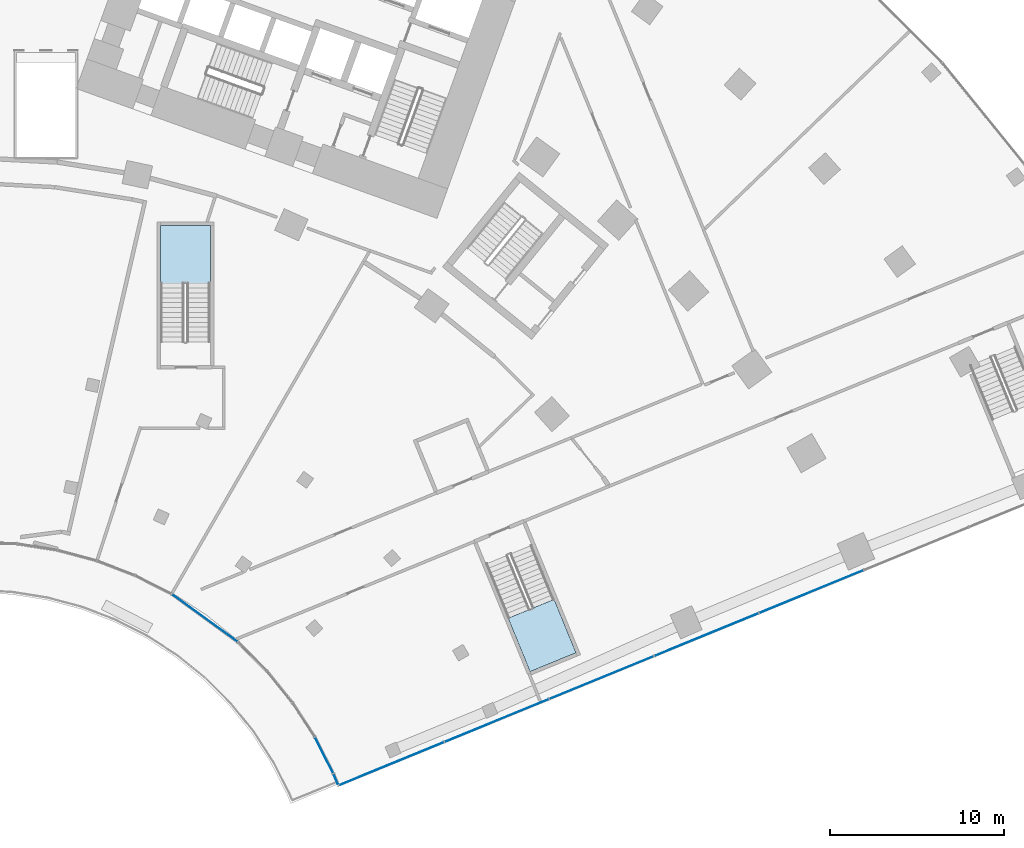
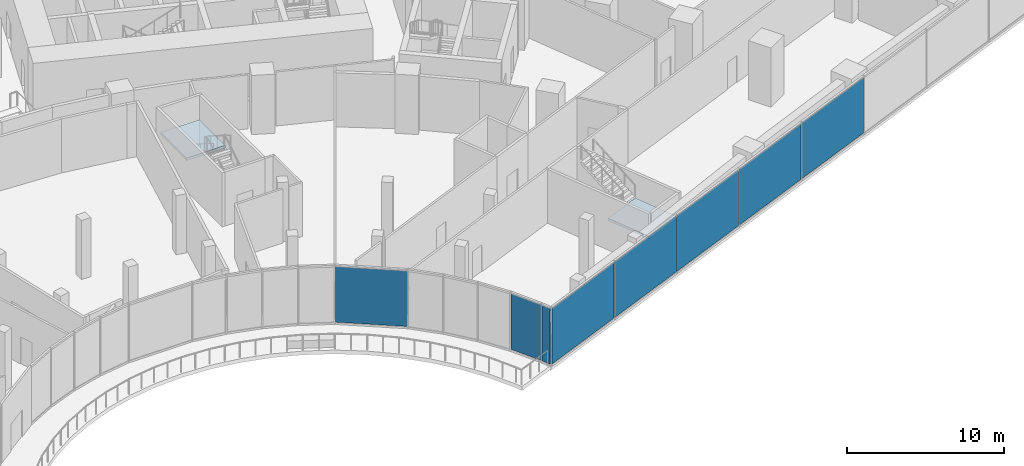
# One storey, part 19 of 40: 8 plates, 2 slabs, 4 elements without a shape of their own.
"""IFC4 building model written with IfcOpenShell, lengths in metres."""

from ifc_helpers import new_model, si_unit, direction, frame, origin, origin_2d, place, context, subcontext, project, spatial, polyline, rectangle, outline, extrude, material, layer, layer_set, type_object, element, aggregate, save


model = new_model("IFC4")

# Units and contexts
model_context = context("Model", 3, precision=1e-05, world=origin(), true_north=direction((0.0, 1.0)))
body_context = subcontext(model_context, "Body", "Model", "MODEL_VIEW")
ifc_project = project(units=[si_unit("LENGTHUNIT", "METRE"), si_unit("AREAUNIT", "SQUARE_METRE"), si_unit("VOLUMEUNIT", "CUBIC_METRE"), si_unit("PLANEANGLEUNIT", "RADIAN"), si_unit("MASSUNIT", "GRAM", prefix="KILO")], contexts=[model_context])

# Site, building, storey
site_placement = place(None, origin())
site = spatial("IfcSite", under=ifc_project, at=site_placement, CompositionType="ELEMENT")
building_placement = place(site_placement, origin())
building = spatial("IfcBuilding", under=site, at=building_placement, Name="Stone Belt Terrace Tower", CompositionType="ELEMENT")
storey_placement = place(building_placement, frame((0.0, 0.0, 11.60009765625)))
storey = spatial("IfcBuildingStorey", under=building, at=storey_placement, Name="L02", CompositionType="ELEMENT", Elevation=11.60009765625)

# Curtain wall, plates
ifc_material_1 = material(Name="Aluminium 6063-T6 anodised frame", Category="aluminium")
ifc_layer_1 = layer(ifc_material_1, 0.14990234375)
ifc_layer_set_1 = layer_set([ifc_layer_1], Name="CW-D podium shopfront")
curtain_wall_type = type_object("IfcCurtainWallType", Name="CW-D podium shopfront", PredefinedType="NOTDEFINED", material=ifc_layer_set_1)
curtain_wall_1_placement = place(storey_placement, origin())
curtain_wall_1 = element("IfcCurtainWall", 1, at=curtain_wall_1_placement, inside=storey, type_object=curtain_wall_type, Name="CW-D concave face L02", PredefinedType="NOTDEFINED")
ifc_material_2 = material(Name="Clear double glazed unit")
ifc_layer_2 = layer(ifc_material_2, 0.031982421875)
ifc_layer_set_2 = layer_set([ifc_layer_2], Name="CW-D glass panel 32")
plate_type = type_object("IfcPlateType", Name="CW-D glass panel 32", PredefinedType="CURTAIN_PANEL", material=ifc_layer_set_2)
plate_1_placement = place(storey_placement, frame((13.108642578125, 18.04248046875, 0.1396484375), z_axis=(0.0, 0.0, 1.0), x_axis=(0.809016994375, -0.587785252292, 0.0)))
plate_1 = element("IfcPlate", 2, at=plate_1_placement, type_object=plate_type, Name="CW-D panel 16.1", PredefinedType="CURTAIN_PANEL", context=body_context, shape_type="SweptSolid", body=[
    extrude(rectangle(XDim=4.620361328125, YDim=0.031982421875, at=origin_2d()), origin(), (0.0, 0.0, 1.0), 4.320068359375),
])
plate_2_placement = place(storey_placement, frame((19.953857421875, 10.16552734375, 0.1396484375), z_axis=(0.0, 0.0, 1.0), x_axis=(0.45399049974, -0.891006524188, 0.0)))
plate_2 = element("IfcPlate", 3, at=plate_2_placement, type_object=plate_type, Name="CW-D panel 20.1", PredefinedType="CURTAIN_PANEL", context=body_context, shape_type="SweptSolid", body=[
    extrude(rectangle(XDim=2.2822265625, YDim=0.031982421875, at=origin_2d()), origin(), (0.0, 0.0, 1.0), 4.320068359375),
])
plate_3_placement = place(storey_placement, frame((20.624755859375, 8.796630859375, 0.1396484375), z_axis=(0.0, 0.0, 1.0), x_axis=(0.393033792222, -0.919524028056, 0.0)))
plate_3 = element("IfcPlate", 4, at=plate_3_placement, type_object=plate_type, Name="CW-D panel 21.1", PredefinedType="CURTAIN_PANEL", context=body_context, shape_type="SweptSolid", body=[
    extrude(rectangle(XDim=0.6376953125, YDim=0.031982421875, at=origin_2d()), origin(), (0.0, 0.0, 1.0), 4.320068359375),
])
aggregate(curtain_wall_1, [plate_1, plate_2, plate_3])

curtain_wall_2_placement = place(storey_placement, origin())
curtain_wall_2 = element("IfcCurtainWall", 5, at=curtain_wall_2_placement, inside=storey, type_object=curtain_wall_type, Name="CW-D end face L02", PredefinedType="NOTDEFINED")
plate_4_placement = place(storey_placement, frame((23.841064453125, 9.6904296875, 0.1396484375), z_axis=(0.0, 0.0, 1.0), x_axis=(0.925297074342, 0.379243093825, 0.0)))
plate_4 = element("IfcPlate", 6, at=plate_4_placement, type_object=plate_type, Name="CW-D panel 1.1", PredefinedType="CURTAIN_PANEL", context=body_context, shape_type="SweptSolid", body=[
    extrude(rectangle(XDim=6.469970703125, YDim=0.031982421875, at=origin_2d()), origin(), (0.0, 0.0, 1.0), 4.320068359375),
])
plate_5_placement = place(storey_placement, frame((29.869384765625, 12.1611328125, 0.1396484375), z_axis=(0.0, 0.0, 1.0), x_axis=(0.925297074342, 0.379243093825, 0.0)))
plate_5 = element("IfcPlate", 7, at=plate_5_placement, type_object=plate_type, Name="CW-D panel 2.1", PredefinedType="CURTAIN_PANEL", context=body_context, shape_type="SweptSolid", body=[
    extrude(rectangle(XDim=6.43994140625, YDim=0.031982421875, at=origin_2d()), origin(), (0.0, 0.0, 1.0), 4.320068359375),
])
plate_6_placement = place(storey_placement, frame((35.8837890625, 14.626220703125, 0.1396484375), z_axis=(0.0, 0.0, 1.0), x_axis=(0.925297074342, 0.379243093825, 0.0)))
plate_6 = element("IfcPlate", 8, at=plate_6_placement, type_object=plate_type, Name="CW-D panel 3.1", PredefinedType="CURTAIN_PANEL", context=body_context, shape_type="SweptSolid", body=[
    extrude(rectangle(XDim=6.43994140625, YDim=0.031982421875, at=origin_2d()), origin(), (0.0, 0.0, 1.0), 4.320068359375),
])
plate_7_placement = place(storey_placement, frame((41.898193359375, 17.09130859375, 0.1396484375), z_axis=(0.0, 0.0, 1.0), x_axis=(0.925297074342, 0.379243093825, 0.0)))
plate_7 = element("IfcPlate", 9, at=plate_7_placement, type_object=plate_type, Name="CW-D panel 4.1", PredefinedType="CURTAIN_PANEL", context=body_context, shape_type="SweptSolid", body=[
    extrude(rectangle(XDim=6.43994140625, YDim=0.031982421875, at=origin_2d()), origin(), (0.0, 0.0, 1.0), 4.320068359375),
])
plate_8_placement = place(storey_placement, frame((47.91259765625, 19.556396484375, 0.1396484375), z_axis=(0.0, 0.0, 1.0), x_axis=(0.925297074342, 0.379243093825, 0.0)))
plate_8 = element("IfcPlate", 10, at=plate_8_placement, type_object=plate_type, Name="CW-D panel 5.1", PredefinedType="CURTAIN_PANEL", context=body_context, shape_type="SweptSolid", body=[
    extrude(rectangle(XDim=6.43994140625, YDim=0.031982421875, at=origin_2d()), origin(), (0.0, 0.0, 1.0), 4.320068359375),
])
aggregate(curtain_wall_2, [plate_4, plate_5, plate_6, plate_7, plate_8])

# Stair, slab
ifc_material_3 = material(Name="Concrete B30", Category="concrete")
stair_type = type_object("IfcStairType", Name="Podium stair concrete B30", PredefinedType="HALF_TURN_STAIR", material=ifc_material_3)
stair_1_placement = place(storey_placement, origin())
stair_1 = element("IfcStair", 11, at=stair_1_placement, inside=storey, type_object=stair_type, Name="L02 podium exit stair 3", PredefinedType="HALF_TURN_STAIR")
ifc_layer_3 = layer(ifc_material_3, 0.199951171875)
ifc_layer_set_3 = layer_set([ifc_layer_3], Name="Podium stair landing concrete B30")
slab_type = type_object("IfcSlabType", Name="Podium stair landing concrete B30", PredefinedType="LANDING", material=ifc_layer_set_3)
slab_1_placement = place(storey_placement, frame((0.0, 0.0, 2.099853515625)))
slab_1 = element("IfcSlab", 12, at=slab_1_placement, type_object=slab_type, Name="PS3 landing 1", PredefinedType="LANDING", context=body_context, shape_type="SweptSolid", body=[
    extrude(outline(polyline([(30.515625, 18.032958984375), (31.772216796875, 14.967529296875), (34.4091796875, 16.04833984375), (33.15283203125, 19.11376953125), (30.515625, 18.032958984375)])), origin(), (0.0, 0.0, 1.0), 0.199951171875),
])
aggregate(stair_1, [slab_1])

stair_2_placement = place(storey_placement, origin())
stair_2 = element("IfcStair", 13, at=stair_2_placement, inside=storey, type_object=stair_type, Name="L02 podium exit stair 6", PredefinedType="HALF_TURN_STAIR")
slab_2_placement = place(storey_placement, frame((0.0, 0.0, 2.099853515625)))
slab_2 = element("IfcSlab", 14, at=slab_2_placement, type_object=slab_type, Name="PS6 landing 1", PredefinedType="LANDING", context=body_context, shape_type="SweptSolid", body=[
    extrude(outline(polyline([(13.425048828125, 37.2470703125), (13.425048828125, 40.56005859375), (10.574951171875, 40.56005859375), (10.574951171875, 37.2470703125), (13.425048828125, 37.2470703125)])), origin(), (0.0, 0.0, 1.0), 0.199951171875),
])
aggregate(stair_2, [slab_2])

save(model, "model.ifc")
